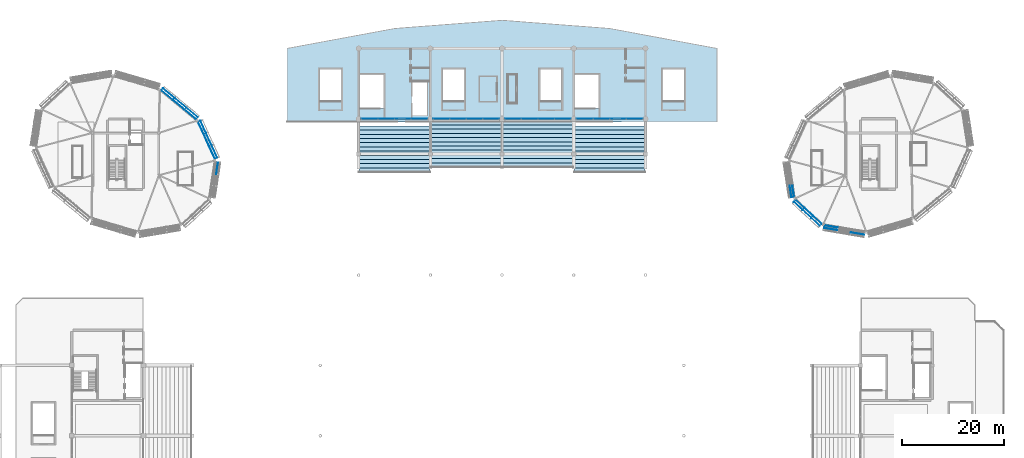
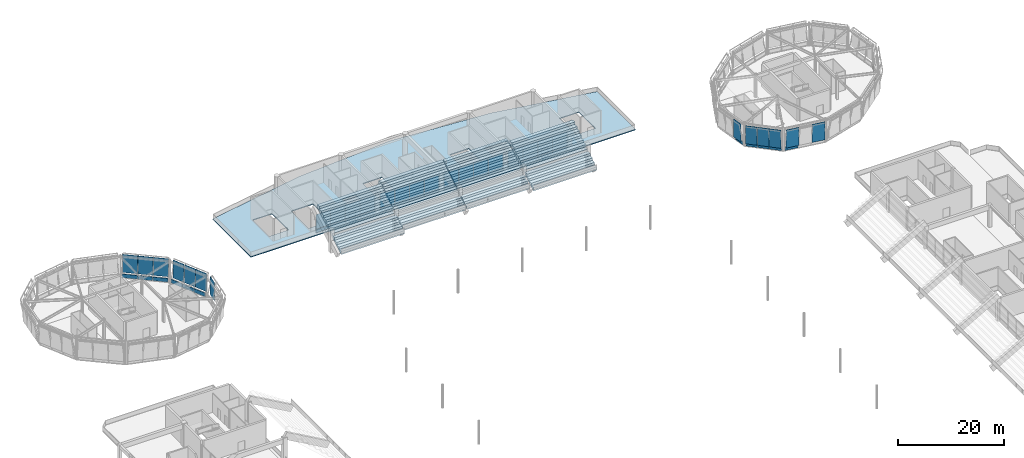
# One storey, part 64 of 90: 56 plates, 5 slabs, 10 elements without a shape of their own.
"""IFC4 building model written with IfcOpenShell, lengths in metres."""

from ifc_helpers import new_model, si_unit, direction, frame, origin, origin_2d, place, context, subcontext, project, spatial, polyline, rectangle, outline, extrude, material, layer, layer_set, type_object, element, aggregate, save


model = new_model("IFC4")

# Units and contexts
model_context = context("Model", 3, precision=1e-05, world=origin(), true_north=direction((0.0, 1.0)))
body_context = subcontext(model_context, "Body", "Model", "MODEL_VIEW")
ifc_project = project(units=[si_unit("LENGTHUNIT", "METRE"), si_unit("AREAUNIT", "SQUARE_METRE"), si_unit("VOLUMEUNIT", "CUBIC_METRE"), si_unit("PLANEANGLEUNIT", "RADIAN"), si_unit("MASSUNIT", "GRAM", prefix="KILO")], contexts=[model_context])

# Site, building, storey
site_placement = place(None, origin())
site = spatial("IfcSite", under=ifc_project, at=site_placement, CompositionType="ELEMENT")
building_placement = place(site_placement, origin())
building = spatial("IfcBuilding", under=site, at=building_placement, Name="Linyun Crest Stadium", CompositionType="ELEMENT")
storey_placement = place(building_placement, frame((0.0, 0.0, 21.0)))
storey = spatial("IfcBuildingStorey", under=building, at=storey_placement, Name="L05", CompositionType="ELEMENT", Elevation=21.0)

# Slab
ifc_material_1 = material(Name="Concrete C40", Category="concrete")
ifc_layer_1 = layer(ifc_material_1, 0.179931640625)
ifc_layer_set_1 = layer_set([ifc_layer_1], Name="Concrete C40")
slab_type_1 = type_object("IfcSlabType", Name="FS01", PredefinedType="FLOOR", material=ifc_layer_set_1)
slab_placement = place(storey_placement, frame((0.0, 0.0, -0.179931640625)))
element("IfcSlab", 1, at=slab_placement, inside=storey, type_object=slab_type_1, Name="Slab FS01 V3 L05 36", PredefinedType="FLOOR", context=body_context, shape_type="SweptSolid", body=[
    extrude(outline(polyline([(-42.0, 90.860107421875), (42.0, 90.860107421875), (42.0, 105.300048828125), (21.0, 109.199951171875), (0.0, 110.800048828125), (-21.0, 109.199951171875), (-42.0, 105.300048828125), (-42.0, 90.860107421875)]), holes=[polyline([(-27.824951171875, 93.52001953125), (-27.824951171875, 100.10009765625), (-23.10009765625, 100.10009765625), (-23.10009765625, 93.52001953125), (-27.824951171875, 93.52001953125)]), polyline([(-17.60009765625, 92.14990234375), (-17.60009765625, 98.75), (-14.60009765625, 98.75), (-14.60009765625, 92.14990234375), (-17.60009765625, 92.14990234375)]), polyline([(14.199951171875, 93.52001953125), (14.199951171875, 100.10009765625), (18.89990234375, 100.10009765625), (18.89990234375, 93.52001953125), (14.199951171875, 93.52001953125)]), polyline([(-35.60009765625, 94.949951171875), (-35.60009765625, 101.199951171875), (-31.39990234375, 101.199951171875), (-31.39990234375, 94.949951171875), (-35.60009765625, 94.949951171875)]), polyline([(-11.60009765625, 94.949951171875), (-11.60009765625, 101.199951171875), (-7.39990234375, 101.199951171875), (-7.39990234375, 94.949951171875), (-11.60009765625, 94.949951171875)]), polyline([(7.39990234375, 94.949951171875), (7.39990234375, 101.199951171875), (11.60009765625, 101.199951171875), (11.60009765625, 94.949951171875), (7.39990234375, 94.949951171875)]), polyline([(31.39990234375, 94.949951171875), (31.39990234375, 101.199951171875), (35.60009765625, 101.199951171875), (35.60009765625, 94.949951171875), (31.39990234375, 94.949951171875)])]), origin(), (0.0, 0.0, 1.0), 0.179931640625),
])

# Curtain wall, plates
ifc_material_2 = material(Name="Verdigris steel and low-E curtain wall assembly", Category="steel")
curtain_wall_type_1 = type_object("IfcCurtainWallType", Name="MCW03", PredefinedType="NOTDEFINED", material=ifc_material_2)
curtain_wall_1_placement = place(storey_placement, origin())
curtain_wall_1 = element("IfcCurtainWall", 2, at=curtain_wall_1_placement, inside=storey, type_object=curtain_wall_type_1, Name="CWR-130", PredefinedType="NOTDEFINED")
ifc_material_3 = material(Name="Double silver low-E insulated glass", Category="glass")
ifc_layer_2 = layer(ifc_material_3, 0.02587890625)
ifc_layer_set_2 = layer_set([ifc_layer_2], Name="Double silver low-E insulated glass")
plate_type_1 = type_object("IfcPlateType", Name="GP01", PredefinedType="CURTAIN_PANEL", material=ifc_layer_set_2)
plate_1_placement = place(storey_placement, frame((-25.837890625, 91.5, 0.875), z_axis=(0.0, 0.0, 1.0), x_axis=(1.0, 0.0, 0.0)))
plate_1 = element("IfcPlate", 3, at=plate_1_placement, type_object=plate_type_1, Name="CWR-130 panel 1.2", PredefinedType="CURTAIN_PANEL", context=body_context, shape_type="SweptSolid", body=[
    extrude(rectangle(XDim=3.175048828125, YDim=0.02587890625, at=origin_2d()), origin(), (0.0, 0.0, 1.0), 3.35009765625),
])
plate_2_placement = place(storey_placement, frame((-22.612060546875, 91.5, 0.875), z_axis=(0.0, 0.0, 1.0), x_axis=(1.0, 0.0, 0.0)))
plate_2 = element("IfcPlate", 4, at=plate_2_placement, type_object=plate_type_1, Name="CWR-130 panel 2.2", PredefinedType="CURTAIN_PANEL", context=body_context, shape_type="SweptSolid", body=[
    extrude(rectangle(XDim=3.175048828125, YDim=0.02587890625, at=origin_2d()), origin(), (0.0, 0.0, 1.0), 3.35009765625),
])
plate_3_placement = place(storey_placement, frame((-19.387939453125, 91.5, 0.875), z_axis=(0.0, 0.0, 1.0), x_axis=(1.0, 0.0, 0.0)))
plate_3 = element("IfcPlate", 5, at=plate_3_placement, type_object=plate_type_1, Name="CWR-130 panel 3.2", PredefinedType="CURTAIN_PANEL", context=body_context, shape_type="SweptSolid", body=[
    extrude(rectangle(XDim=3.175048828125, YDim=0.02587890625, at=origin_2d()), origin(), (0.0, 0.0, 1.0), 3.35009765625),
])
plate_4_placement = place(storey_placement, frame((-16.1630859375, 91.5, 0.875), z_axis=(0.0, 0.0, 1.0), x_axis=(1.0, 0.0, 0.0)))
plate_4 = element("IfcPlate", 6, at=plate_4_placement, type_object=plate_type_1, Name="CWR-130 panel 4.2", PredefinedType="CURTAIN_PANEL", context=body_context, shape_type="SweptSolid", body=[
    extrude(rectangle(XDim=3.175048828125, YDim=0.02587890625, at=origin_2d()), origin(), (0.0, 0.0, 1.0), 3.35009765625),
])

curtain_wall_2_placement = place(storey_placement, origin())
curtain_wall_2 = element("IfcCurtainWall", 7, at=curtain_wall_2_placement, inside=storey, type_object=curtain_wall_type_1, Name="CWR-137", PredefinedType="NOTDEFINED")
plate_5_placement = place(storey_placement, frame((-11.8369140625, 91.5, 0.875), z_axis=(0.0, 0.0, 1.0), x_axis=(1.0, 0.0, 0.0)))
plate_5 = element("IfcPlate", 8, at=plate_5_placement, type_object=plate_type_1, Name="CWR-137 panel 1.2", PredefinedType="CURTAIN_PANEL", context=body_context, shape_type="SweptSolid", body=[
    extrude(rectangle(XDim=3.175048828125, YDim=0.02587890625, at=origin_2d()), origin(), (0.0, 0.0, 1.0), 3.35009765625),
])
plate_6_placement = place(storey_placement, frame((-8.612060546875, 91.5, 0.875), z_axis=(0.0, 0.0, 1.0), x_axis=(1.0, 0.0, 0.0)))
plate_6 = element("IfcPlate", 9, at=plate_6_placement, type_object=plate_type_1, Name="CWR-137 panel 2.2", PredefinedType="CURTAIN_PANEL", context=body_context, shape_type="SweptSolid", body=[
    extrude(rectangle(XDim=3.175048828125, YDim=0.02587890625, at=origin_2d()), origin(), (0.0, 0.0, 1.0), 3.35009765625),
])
plate_7_placement = place(storey_placement, frame((-5.386962890625, 91.5, 0.875), z_axis=(0.0, 0.0, 1.0), x_axis=(1.0, 0.0, 0.0)))
plate_7 = element("IfcPlate", 10, at=plate_7_placement, type_object=plate_type_1, Name="CWR-137 panel 3.2", PredefinedType="CURTAIN_PANEL", context=body_context, shape_type="SweptSolid", body=[
    extrude(rectangle(XDim=3.175048828125, YDim=0.02587890625, at=origin_2d()), origin(), (0.0, 0.0, 1.0), 3.35009765625),
])
plate_8_placement = place(storey_placement, frame((-2.1630859375, 91.5, 0.875), z_axis=(0.0, 0.0, 1.0), x_axis=(1.0, 0.0, 0.0)))
plate_8 = element("IfcPlate", 11, at=plate_8_placement, type_object=plate_type_1, Name="CWR-137 panel 4.2", PredefinedType="CURTAIN_PANEL", context=body_context, shape_type="SweptSolid", body=[
    extrude(rectangle(XDim=3.175048828125, YDim=0.02587890625, at=origin_2d()), origin(), (0.0, 0.0, 1.0), 3.35009765625),
])

curtain_wall_3_placement = place(storey_placement, origin())
curtain_wall_3 = element("IfcCurtainWall", 12, at=curtain_wall_3_placement, inside=storey, type_object=curtain_wall_type_1, Name="CWR-144", PredefinedType="NOTDEFINED")
plate_9_placement = place(storey_placement, frame((2.162109375, 91.5, 0.875), z_axis=(0.0, 0.0, 1.0), x_axis=(1.0, 0.0, 0.0)))
plate_9 = element("IfcPlate", 13, at=plate_9_placement, type_object=plate_type_1, Name="CWR-144 panel 1.2", PredefinedType="CURTAIN_PANEL", context=body_context, shape_type="SweptSolid", body=[
    extrude(rectangle(XDim=3.175048828125, YDim=0.02587890625, at=origin_2d()), origin(), (0.0, 0.0, 1.0), 3.35009765625),
])
plate_10_placement = place(storey_placement, frame((5.386962890625, 91.5, 0.875), z_axis=(0.0, 0.0, 1.0), x_axis=(1.0, 0.0, 0.0)))
plate_10 = element("IfcPlate", 14, at=plate_10_placement, type_object=plate_type_1, Name="CWR-144 panel 2.2", PredefinedType="CURTAIN_PANEL", context=body_context, shape_type="SweptSolid", body=[
    extrude(rectangle(XDim=3.175048828125, YDim=0.02587890625, at=origin_2d()), origin(), (0.0, 0.0, 1.0), 3.35009765625),
])
plate_11_placement = place(storey_placement, frame((8.612060546875, 91.5, 0.875), z_axis=(0.0, 0.0, 1.0), x_axis=(1.0, 0.0, 0.0)))
plate_11 = element("IfcPlate", 15, at=plate_11_placement, type_object=plate_type_1, Name="CWR-144 panel 3.2", PredefinedType="CURTAIN_PANEL", context=body_context, shape_type="SweptSolid", body=[
    extrude(rectangle(XDim=3.175048828125, YDim=0.02587890625, at=origin_2d()), origin(), (0.0, 0.0, 1.0), 3.35009765625),
])
plate_12_placement = place(storey_placement, frame((11.8369140625, 91.5, 0.875), z_axis=(0.0, 0.0, 1.0), x_axis=(1.0, 0.0, 0.0)))
plate_12 = element("IfcPlate", 16, at=plate_12_placement, type_object=plate_type_1, Name="CWR-144 panel 4.2", PredefinedType="CURTAIN_PANEL", context=body_context, shape_type="SweptSolid", body=[
    extrude(rectangle(XDim=3.175048828125, YDim=0.02587890625, at=origin_2d()), origin(), (0.0, 0.0, 1.0), 3.35009765625),
])

curtain_wall_4_placement = place(storey_placement, origin())
curtain_wall_4 = element("IfcCurtainWall", 17, at=curtain_wall_4_placement, inside=storey, type_object=curtain_wall_type_1, Name="CWR-151", PredefinedType="NOTDEFINED")
plate_13_placement = place(storey_placement, frame((16.1630859375, 91.5, 0.875), z_axis=(0.0, 0.0, 1.0), x_axis=(1.0, 0.0, 0.0)))
plate_13 = element("IfcPlate", 18, at=plate_13_placement, type_object=plate_type_1, Name="CWR-151 panel 1.2", PredefinedType="CURTAIN_PANEL", context=body_context, shape_type="SweptSolid", body=[
    extrude(rectangle(XDim=3.175048828125, YDim=0.02587890625, at=origin_2d()), origin(), (0.0, 0.0, 1.0), 3.35009765625),
])
plate_14_placement = place(storey_placement, frame((19.387939453125, 91.5, 0.875), z_axis=(0.0, 0.0, 1.0), x_axis=(1.0, 0.0, 0.0)))
plate_14 = element("IfcPlate", 19, at=plate_14_placement, type_object=plate_type_1, Name="CWR-151 panel 2.2", PredefinedType="CURTAIN_PANEL", context=body_context, shape_type="SweptSolid", body=[
    extrude(rectangle(XDim=3.175048828125, YDim=0.02587890625, at=origin_2d()), origin(), (0.0, 0.0, 1.0), 3.35009765625),
])
plate_15_placement = place(storey_placement, frame((22.612060546875, 91.5, 0.875), z_axis=(0.0, 0.0, 1.0), x_axis=(1.0, 0.0, 0.0)))
plate_15 = element("IfcPlate", 20, at=plate_15_placement, type_object=plate_type_1, Name="CWR-151 panel 3.2", PredefinedType="CURTAIN_PANEL", context=body_context, shape_type="SweptSolid", body=[
    extrude(rectangle(XDim=3.175048828125, YDim=0.02587890625, at=origin_2d()), origin(), (0.0, 0.0, 1.0), 3.35009765625),
])
plate_16_placement = place(storey_placement, frame((25.837890625, 91.5, 0.875), z_axis=(0.0, 0.0, 1.0), x_axis=(1.0, 0.0, 0.0)))
plate_16 = element("IfcPlate", 21, at=plate_16_placement, type_object=plate_type_1, Name="CWR-151 panel 4.2", PredefinedType="CURTAIN_PANEL", context=body_context, shape_type="SweptSolid", body=[
    extrude(rectangle(XDim=3.175048828125, YDim=0.02587890625, at=origin_2d()), origin(), (0.0, 0.0, 1.0), 3.35009765625),
])

# Curtain wall, plate
ifc_material_4 = material(Name="Verdigris steel and low-E curtain wall assembly", Category="steel")
curtain_wall_type_2 = type_object("IfcCurtainWallType", Name="MCW04", PredefinedType="NOTDEFINED", material=ifc_material_4)
curtain_wall_5_placement = place(storey_placement, origin())
curtain_wall_5 = element("IfcCurtainWall", 22, at=curtain_wall_5_placement, inside=storey, type_object=curtain_wall_type_2, Name="CWR-013", PredefinedType="NOTDEFINED")
ifc_material_5 = material(Name="Acoustic laminated low-E broadcast glass", Category="glass")
ifc_layer_3 = layer(ifc_material_5, 0.030029296875)
ifc_layer_set_3 = layer_set([ifc_layer_3], Name="Acoustic laminated low-E broadcast glass")
plate_type_2 = type_object("IfcPlateType", Name="GP02", PredefinedType="CURTAIN_PANEL", material=ifc_layer_set_3)
plate_17_placement = place(storey_placement, frame((-55.64306640625, 81.843017578125, 0.88232421875), z_axis=(0.0, 0.0, 1.0), x_axis=(0.152054385169, 0.988372128275, 0.0)))
plate_17 = element("IfcPlate", 23, at=plate_17_placement, type_object=plate_type_2, Name="CWR-013 panel 3.2", PredefinedType="CURTAIN_PANEL", context=body_context, shape_type="SweptSolid", body=[
    extrude(rectangle(XDim=2.256103515625, YDim=0.030029296875, at=origin_2d()), origin(), (0.0, 0.0, 1.0), 4.1953125),
])
aggregate(curtain_wall_5, [plate_17])

# Curtain wall, plates
curtain_wall_6_placement = place(storey_placement, origin())
curtain_wall_6 = element("IfcCurtainWall", 24, at=curtain_wall_6_placement, inside=storey, type_object=curtain_wall_type_2, Name="CWR-014", PredefinedType="NOTDEFINED")
plate_18_placement = place(storey_placement, frame((-56.14208984375, 85.10009765625, 0.88232421875), z_axis=(0.0, 0.0, 1.0), x_axis=(-0.414566184052, 0.910019164106, 0.0)))
plate_18 = element("IfcPlate", 25, at=plate_18_placement, type_object=plate_type_2, Name="CWR-014 panel 1.2", PredefinedType="CURTAIN_PANEL", context=body_context, shape_type="SweptSolid", body=[
    extrude(rectangle(XDim=2.595458984375, YDim=0.030029296875, at=origin_2d()), origin(), (0.0, 0.0, 1.0), 4.1953125),
])
plate_19_placement = place(storey_placement, frame((-57.238037109375, 87.507080078125, 0.88232421875), z_axis=(0.0, 0.0, 1.0), x_axis=(-0.414566184052, 0.910019164106, 0.0)))
plate_19 = element("IfcPlate", 26, at=plate_19_placement, type_object=plate_type_2, Name="CWR-014 panel 2.2", PredefinedType="CURTAIN_PANEL", context=body_context, shape_type="SweptSolid", body=[
    extrude(rectangle(XDim=2.595458984375, YDim=0.030029296875, at=origin_2d()), origin(), (0.0, 0.0, 1.0), 4.1953125),
])
plate_20_placement = place(storey_placement, frame((-58.3349609375, 89.9150390625, 0.88232421875), z_axis=(0.0, 0.0, 1.0), x_axis=(-0.414566184052, 0.910019164106, 0.0)))
plate_20 = element("IfcPlate", 27, at=plate_20_placement, type_object=plate_type_2, Name="CWR-014 panel 3.2", PredefinedType="CURTAIN_PANEL", context=body_context, shape_type="SweptSolid", body=[
    extrude(rectangle(XDim=2.595458984375, YDim=0.030029296875, at=origin_2d()), origin(), (0.0, 0.0, 1.0), 4.1953125),
])

curtain_wall_7_placement = place(storey_placement, origin())
curtain_wall_7 = element("IfcCurtainWall", 28, at=curtain_wall_7_placement, inside=storey, type_object=curtain_wall_type_2, Name="CWR-015", PredefinedType="NOTDEFINED")
plate_21_placement = place(storey_placement, frame((-60.5390625, 92.738037109375, 0.88232421875), z_axis=(0.0, 0.0, 1.0), x_axis=(-0.77024617165, 0.637746685651, 0.0)))
plate_21 = element("IfcPlate", 29, at=plate_21_placement, type_object=plate_type_2, Name="CWR-015 panel 1.2", PredefinedType="CURTAIN_PANEL", context=body_context, shape_type="SweptSolid", body=[
    extrude(rectangle(XDim=2.8984375, YDim=0.030029296875, at=origin_2d()), origin(), (0.0, 0.0, 1.0), 4.1953125),
])
plate_22_placement = place(storey_placement, frame((-62.81005859375, 94.617919921875, 0.88232421875), z_axis=(0.0, 0.0, 1.0), x_axis=(-0.77024617165, 0.637746685651, 0.0)))
plate_22 = element("IfcPlate", 30, at=plate_22_placement, type_object=plate_type_2, Name="CWR-015 panel 2.2", PredefinedType="CURTAIN_PANEL", context=body_context, shape_type="SweptSolid", body=[
    extrude(rectangle(XDim=2.8984375, YDim=0.030029296875, at=origin_2d()), origin(), (0.0, 0.0, 1.0), 4.1953125),
])
plate_23_placement = place(storey_placement, frame((-65.0810546875, 96.4990234375, 0.88232421875), z_axis=(0.0, 0.0, 1.0), x_axis=(-0.77024617165, 0.637746685651, 0.0)))
plate_23 = element("IfcPlate", 31, at=plate_23_placement, type_object=plate_type_2, Name="CWR-015 panel 3.2", PredefinedType="CURTAIN_PANEL", context=body_context, shape_type="SweptSolid", body=[
    extrude(rectangle(XDim=2.8984375, YDim=0.030029296875, at=origin_2d()), origin(), (0.0, 0.0, 1.0), 4.1953125),
])

# Curtain wall, plate
curtain_wall_8_placement = place(storey_placement, origin())
curtain_wall_8 = element("IfcCurtainWall", 32, at=curtain_wall_8_placement, inside=storey, type_object=curtain_wall_type_2, Name="CWR-054", PredefinedType="NOTDEFINED")
plate_24_placement = place(storey_placement, frame((56.343994140625, 77.283935546875, 0.88232421875), z_axis=(0.0, 0.0, 1.0), x_axis=(0.152054385169, -0.988372128275, 0.0)))
plate_24 = element("IfcPlate", 33, at=plate_24_placement, type_object=plate_type_2, Name="CWR-054 panel 3.2", PredefinedType="CURTAIN_PANEL", context=body_context, shape_type="SweptSolid", body=[
    extrude(rectangle(XDim=2.256103515625, YDim=0.030029296875, at=origin_2d()), origin(), (0.0, 0.0, 1.0), 4.1953125),
])

# Curtain wall, plates
curtain_wall_9_placement = place(storey_placement, origin())
curtain_wall_9 = element("IfcCurtainWall", 34, at=curtain_wall_9_placement, inside=storey, type_object=curtain_wall_type_2, Name="CWR-055", PredefinedType="NOTDEFINED")
plate_25_placement = place(storey_placement, frame((57.820068359375, 74.508056640625, 0.88232421875), z_axis=(0.0, 0.0, 1.0), x_axis=(0.734298814372, -0.678826377811, 0.0)))
plate_25 = element("IfcPlate", 35, at=plate_25_placement, type_object=plate_type_2, Name="CWR-055 panel 1.2", PredefinedType="CURTAIN_PANEL", context=body_context, shape_type="SweptSolid", body=[
    extrude(rectangle(XDim=2.2568359375, YDim=0.030029296875, at=origin_2d()), origin(), (0.0, 0.0, 1.0), 4.1953125),
])
plate_26_placement = place(storey_placement, frame((59.513916015625, 72.94189453125, 0.88232421875), z_axis=(0.0, 0.0, 1.0), x_axis=(0.734298814372, -0.678826377811, 0.0)))
plate_26 = element("IfcPlate", 36, at=plate_26_placement, type_object=plate_type_2, Name="CWR-055 panel 2.2", PredefinedType="CURTAIN_PANEL", context=body_context, shape_type="SweptSolid", body=[
    extrude(rectangle(XDim=2.2568359375, YDim=0.030029296875, at=origin_2d()), origin(), (0.0, 0.0, 1.0), 4.1953125),
])
plate_27_placement = place(storey_placement, frame((61.2080078125, 71.3759765625, 0.88232421875), z_axis=(0.0, 0.0, 1.0), x_axis=(0.734298814372, -0.678826377811, 0.0)))
plate_27 = element("IfcPlate", 37, at=plate_27_placement, type_object=plate_type_2, Name="CWR-055 panel 3.2", PredefinedType="CURTAIN_PANEL", context=body_context, shape_type="SweptSolid", body=[
    extrude(rectangle(XDim=2.2568359375, YDim=0.030029296875, at=origin_2d()), origin(), (0.0, 0.0, 1.0), 4.1953125),
])

curtain_wall_10_placement = place(storey_placement, origin())
curtain_wall_10 = element("IfcCurtainWall", 38, at=curtain_wall_10_placement, inside=storey, type_object=curtain_wall_type_2, Name="CWR-056", PredefinedType="NOTDEFINED")
plate_28_placement = place(storey_placement, frame((64.18701171875, 69.968017578125, 0.88232421875), z_axis=(0.0, 0.0, 1.0), x_axis=(0.986282720763, -0.165064819767, 0.0)))
plate_28 = element("IfcPlate", 39, at=plate_28_placement, type_object=plate_type_2, Name="CWR-056 panel 1.2", PredefinedType="CURTAIN_PANEL", context=body_context, shape_type="SweptSolid", body=[
    extrude(rectangle(XDim=2.59521484375, YDim=0.030029296875, at=origin_2d()), origin(), (0.0, 0.0, 1.0), 4.1953125),
])
plate_29_placement = place(storey_placement, frame((69.405029296875, 69.093994140625, 0.88232421875), z_axis=(0.0, 0.0, 1.0), x_axis=(0.986282720763, -0.165064819767, 0.0)))
plate_29 = element("IfcPlate", 40, at=plate_29_placement, type_object=plate_type_2, Name="CWR-056 panel 3.2", PredefinedType="CURTAIN_PANEL", context=body_context, shape_type="SweptSolid", body=[
    extrude(rectangle(XDim=2.59521484375, YDim=0.030029296875, at=origin_2d()), origin(), (0.0, 0.0, 1.0), 4.1953125),
])

# Plate
ifc_material_6 = material(Name="Celadon glazed ceramic faience insulated spandrel")
ifc_layer_4 = layer(ifc_material_6, 0.0419921875)
ifc_layer_set_4 = layer_set([ifc_layer_4], Name="Celadon glazed ceramic faience insulated spandrel")
plate_type_3 = type_object("IfcPlateType", Name="SP01", PredefinedType="SHEET", material=ifc_layer_set_4)
plate_30_placement = place(storey_placement, frame((-25.837890625, 91.5, 0.02490234375), z_axis=(0.0, 0.0, 1.0), x_axis=(1.0, 0.0, 0.0)))
plate_30 = element("IfcPlate", 41, at=plate_30_placement, type_object=plate_type_3, Name="CWR-130 panel 1.1", PredefinedType="SHEET", context=body_context, shape_type="SweptSolid", body=[
    extrude(rectangle(XDim=3.175048828125, YDim=0.0419921875, at=origin_2d()), origin(), (0.0, 0.0, 1.0), 0.800048828125),
])

plate_31_placement = place(storey_placement, frame((-22.612060546875, 91.5, 0.02490234375), z_axis=(0.0, 0.0, 1.0), x_axis=(1.0, 0.0, 0.0)))
plate_31 = element("IfcPlate", 42, at=plate_31_placement, type_object=plate_type_3, Name="CWR-130 panel 2.1", PredefinedType="SHEET", context=body_context, shape_type="SweptSolid", body=[
    extrude(rectangle(XDim=3.175048828125, YDim=0.0419921875, at=origin_2d()), origin(), (0.0, 0.0, 1.0), 0.800048828125),
])

plate_32_placement = place(storey_placement, frame((-19.387939453125, 91.5, 0.02490234375), z_axis=(0.0, 0.0, 1.0), x_axis=(1.0, 0.0, 0.0)))
plate_32 = element("IfcPlate", 43, at=plate_32_placement, type_object=plate_type_3, Name="CWR-130 panel 3.1", PredefinedType="SHEET", context=body_context, shape_type="SweptSolid", body=[
    extrude(rectangle(XDim=3.175048828125, YDim=0.0419921875, at=origin_2d()), origin(), (0.0, 0.0, 1.0), 0.800048828125),
])

plate_33_placement = place(storey_placement, frame((-16.1630859375, 91.5, 0.02490234375), z_axis=(0.0, 0.0, 1.0), x_axis=(1.0, 0.0, 0.0)))
plate_33 = element("IfcPlate", 44, at=plate_33_placement, type_object=plate_type_3, Name="CWR-130 panel 4.1", PredefinedType="SHEET", context=body_context, shape_type="SweptSolid", body=[
    extrude(rectangle(XDim=3.175048828125, YDim=0.0419921875, at=origin_2d()), origin(), (0.0, 0.0, 1.0), 0.800048828125),
])

aggregate(curtain_wall_1, [plate_30, plate_1, plate_31, plate_2, plate_32, plate_3, plate_33, plate_4])

plate_34_placement = place(storey_placement, frame((-11.8369140625, 91.5, 0.02490234375), z_axis=(0.0, 0.0, 1.0), x_axis=(1.0, 0.0, 0.0)))
plate_34 = element("IfcPlate", 45, at=plate_34_placement, type_object=plate_type_3, Name="CWR-137 panel 1.1", PredefinedType="SHEET", context=body_context, shape_type="SweptSolid", body=[
    extrude(rectangle(XDim=3.175048828125, YDim=0.0419921875, at=origin_2d()), origin(), (0.0, 0.0, 1.0), 0.800048828125),
])

plate_35_placement = place(storey_placement, frame((-8.612060546875, 91.5, 0.02490234375), z_axis=(0.0, 0.0, 1.0), x_axis=(1.0, 0.0, 0.0)))
plate_35 = element("IfcPlate", 46, at=plate_35_placement, type_object=plate_type_3, Name="CWR-137 panel 2.1", PredefinedType="SHEET", context=body_context, shape_type="SweptSolid", body=[
    extrude(rectangle(XDim=3.175048828125, YDim=0.0419921875, at=origin_2d()), origin(), (0.0, 0.0, 1.0), 0.800048828125),
])

plate_36_placement = place(storey_placement, frame((-5.386962890625, 91.5, 0.02490234375), z_axis=(0.0, 0.0, 1.0), x_axis=(1.0, 0.0, 0.0)))
plate_36 = element("IfcPlate", 47, at=plate_36_placement, type_object=plate_type_3, Name="CWR-137 panel 3.1", PredefinedType="SHEET", context=body_context, shape_type="SweptSolid", body=[
    extrude(rectangle(XDim=3.175048828125, YDim=0.0419921875, at=origin_2d()), origin(), (0.0, 0.0, 1.0), 0.800048828125),
])

plate_37_placement = place(storey_placement, frame((-2.1630859375, 91.5, 0.02490234375), z_axis=(0.0, 0.0, 1.0), x_axis=(1.0, 0.0, 0.0)))
plate_37 = element("IfcPlate", 48, at=plate_37_placement, type_object=plate_type_3, Name="CWR-137 panel 4.1", PredefinedType="SHEET", context=body_context, shape_type="SweptSolid", body=[
    extrude(rectangle(XDim=3.175048828125, YDim=0.0419921875, at=origin_2d()), origin(), (0.0, 0.0, 1.0), 0.800048828125),
])

aggregate(curtain_wall_2, [plate_34, plate_5, plate_35, plate_6, plate_36, plate_7, plate_37, plate_8])

plate_38_placement = place(storey_placement, frame((2.162109375, 91.5, 0.02490234375), z_axis=(0.0, 0.0, 1.0), x_axis=(1.0, 0.0, 0.0)))
plate_38 = element("IfcPlate", 49, at=plate_38_placement, type_object=plate_type_3, Name="CWR-144 panel 1.1", PredefinedType="SHEET", context=body_context, shape_type="SweptSolid", body=[
    extrude(rectangle(XDim=3.175048828125, YDim=0.0419921875, at=origin_2d()), origin(), (0.0, 0.0, 1.0), 0.800048828125),
])

plate_39_placement = place(storey_placement, frame((5.386962890625, 91.5, 0.02490234375), z_axis=(0.0, 0.0, 1.0), x_axis=(1.0, 0.0, 0.0)))
plate_39 = element("IfcPlate", 50, at=plate_39_placement, type_object=plate_type_3, Name="CWR-144 panel 2.1", PredefinedType="SHEET", context=body_context, shape_type="SweptSolid", body=[
    extrude(rectangle(XDim=3.175048828125, YDim=0.0419921875, at=origin_2d()), origin(), (0.0, 0.0, 1.0), 0.800048828125),
])

plate_40_placement = place(storey_placement, frame((8.612060546875, 91.5, 0.02490234375), z_axis=(0.0, 0.0, 1.0), x_axis=(1.0, 0.0, 0.0)))
plate_40 = element("IfcPlate", 51, at=plate_40_placement, type_object=plate_type_3, Name="CWR-144 panel 3.1", PredefinedType="SHEET", context=body_context, shape_type="SweptSolid", body=[
    extrude(rectangle(XDim=3.175048828125, YDim=0.0419921875, at=origin_2d()), origin(), (0.0, 0.0, 1.0), 0.800048828125),
])

plate_41_placement = place(storey_placement, frame((11.8369140625, 91.5, 0.02490234375), z_axis=(0.0, 0.0, 1.0), x_axis=(1.0, 0.0, 0.0)))
plate_41 = element("IfcPlate", 52, at=plate_41_placement, type_object=plate_type_3, Name="CWR-144 panel 4.1", PredefinedType="SHEET", context=body_context, shape_type="SweptSolid", body=[
    extrude(rectangle(XDim=3.175048828125, YDim=0.0419921875, at=origin_2d()), origin(), (0.0, 0.0, 1.0), 0.800048828125),
])

aggregate(curtain_wall_3, [plate_38, plate_9, plate_39, plate_10, plate_40, plate_11, plate_41, plate_12])

plate_42_placement = place(storey_placement, frame((16.1630859375, 91.5, 0.02490234375), z_axis=(0.0, 0.0, 1.0), x_axis=(1.0, 0.0, 0.0)))
plate_42 = element("IfcPlate", 53, at=plate_42_placement, type_object=plate_type_3, Name="CWR-151 panel 1.1", PredefinedType="SHEET", context=body_context, shape_type="SweptSolid", body=[
    extrude(rectangle(XDim=3.175048828125, YDim=0.0419921875, at=origin_2d()), origin(), (0.0, 0.0, 1.0), 0.800048828125),
])

plate_43_placement = place(storey_placement, frame((19.387939453125, 91.5, 0.02490234375), z_axis=(0.0, 0.0, 1.0), x_axis=(1.0, 0.0, 0.0)))
plate_43 = element("IfcPlate", 54, at=plate_43_placement, type_object=plate_type_3, Name="CWR-151 panel 2.1", PredefinedType="SHEET", context=body_context, shape_type="SweptSolid", body=[
    extrude(rectangle(XDim=3.175048828125, YDim=0.0419921875, at=origin_2d()), origin(), (0.0, 0.0, 1.0), 0.800048828125),
])

plate_44_placement = place(storey_placement, frame((22.612060546875, 91.5, 0.02490234375), z_axis=(0.0, 0.0, 1.0), x_axis=(1.0, 0.0, 0.0)))
plate_44 = element("IfcPlate", 55, at=plate_44_placement, type_object=plate_type_3, Name="CWR-151 panel 3.1", PredefinedType="SHEET", context=body_context, shape_type="SweptSolid", body=[
    extrude(rectangle(XDim=3.175048828125, YDim=0.0419921875, at=origin_2d()), origin(), (0.0, 0.0, 1.0), 0.800048828125),
])

plate_45_placement = place(storey_placement, frame((25.837890625, 91.5, 0.02490234375), z_axis=(0.0, 0.0, 1.0), x_axis=(1.0, 0.0, 0.0)))
plate_45 = element("IfcPlate", 56, at=plate_45_placement, type_object=plate_type_3, Name="CWR-151 panel 4.1", PredefinedType="SHEET", context=body_context, shape_type="SweptSolid", body=[
    extrude(rectangle(XDim=3.175048828125, YDim=0.0419921875, at=origin_2d()), origin(), (0.0, 0.0, 1.0), 0.800048828125),
])

aggregate(curtain_wall_4, [plate_42, plate_13, plate_43, plate_14, plate_44, plate_15, plate_45, plate_16])

ifc_material_7 = material(Name="Verdigris enamelled metal insulated spandrel")
ifc_layer_5 = layer(ifc_material_7, 0.053955078125)
ifc_layer_set_5 = layer_set([ifc_layer_5], Name="Verdigris enamelled metal insulated spandrel")
plate_type_4 = type_object("IfcPlateType", Name="SP03", PredefinedType="SHEET", material=ifc_layer_set_5)
plate_46_placement = place(storey_placement, frame((-56.610107421875, 84.886962890625, 0.015625), z_axis=(0.0, 0.0, 1.0), x_axis=(-0.414566184052, 0.910019164106, 0.0)))
plate_46 = element("IfcPlate", 57, at=plate_46_placement, type_object=plate_type_4, Name="CWR-014 panel 1.1", PredefinedType="SHEET", context=body_context, shape_type="SweptSolid", body=[
    extrude(rectangle(XDim=2.595458984375, YDim=0.053955078125, at=origin_2d()), origin(), (0.0, 0.0, 1.0), 0.868408203125),
])

plate_47_placement = place(storey_placement, frame((-57.70703125, 87.2939453125, 0.015625), z_axis=(0.0, 0.0, 1.0), x_axis=(-0.414566184052, 0.910019164106, 0.0)))
plate_47 = element("IfcPlate", 58, at=plate_47_placement, type_object=plate_type_4, Name="CWR-014 panel 2.1", PredefinedType="SHEET", context=body_context, shape_type="SweptSolid", body=[
    extrude(rectangle(XDim=2.595458984375, YDim=0.053955078125, at=origin_2d()), origin(), (0.0, 0.0, 1.0), 0.868408203125),
])

plate_48_placement = place(storey_placement, frame((-58.802978515625, 89.700927734375, 0.015625), z_axis=(0.0, 0.0, 1.0), x_axis=(-0.414566184052, 0.910019164106, 0.0)))
plate_48 = element("IfcPlate", 59, at=plate_48_placement, type_object=plate_type_4, Name="CWR-014 panel 3.1", PredefinedType="SHEET", context=body_context, shape_type="SweptSolid", body=[
    extrude(rectangle(XDim=2.595458984375, YDim=0.053955078125, at=origin_2d()), origin(), (0.0, 0.0, 1.0), 0.868408203125),
])

aggregate(curtain_wall_6, [plate_46, plate_18, plate_47, plate_19, plate_48, plate_20])

plate_49_placement = place(storey_placement, frame((-60.866943359375, 92.342041015625, 0.015625), z_axis=(0.0, 0.0, 1.0), x_axis=(-0.77024617165, 0.637746685651, 0.0)))
plate_49 = element("IfcPlate", 60, at=plate_49_placement, type_object=plate_type_4, Name="CWR-015 panel 1.1", PredefinedType="SHEET", context=body_context, shape_type="SweptSolid", body=[
    extrude(rectangle(XDim=2.8984375, YDim=0.053955078125, at=origin_2d()), origin(), (0.0, 0.0, 1.0), 0.868408203125),
])

plate_50_placement = place(storey_placement, frame((-63.137939453125, 94.221923828125, 0.015625), z_axis=(0.0, 0.0, 1.0), x_axis=(-0.77024617165, 0.637746685651, 0.0)))
plate_50 = element("IfcPlate", 61, at=plate_50_placement, type_object=plate_type_4, Name="CWR-015 panel 2.1", PredefinedType="SHEET", context=body_context, shape_type="SweptSolid", body=[
    extrude(rectangle(XDim=2.8984375, YDim=0.053955078125, at=origin_2d()), origin(), (0.0, 0.0, 1.0), 0.868408203125),
])

plate_51_placement = place(storey_placement, frame((-65.408935546875, 96.10205078125, 0.015625), z_axis=(0.0, 0.0, 1.0), x_axis=(-0.77024617165, 0.637746685651, 0.0)))
plate_51 = element("IfcPlate", 62, at=plate_51_placement, type_object=plate_type_4, Name="CWR-015 panel 3.1", PredefinedType="SHEET", context=body_context, shape_type="SweptSolid", body=[
    extrude(rectangle(XDim=2.8984375, YDim=0.053955078125, at=origin_2d()), origin(), (0.0, 0.0, 1.0), 0.868408203125),
])

aggregate(curtain_wall_7, [plate_49, plate_21, plate_50, plate_22, plate_51, plate_23])

plate_52_placement = place(storey_placement, frame((56.85302734375, 77.363037109375, 0.015625), z_axis=(0.0, 0.0, 1.0), x_axis=(0.152054385169, -0.988372128275, 0.0)))
plate_52 = element("IfcPlate", 63, at=plate_52_placement, type_object=plate_type_4, Name="CWR-054 panel 3.1", PredefinedType="SHEET", context=body_context, shape_type="SweptSolid", body=[
    extrude(rectangle(XDim=2.256103515625, YDim=0.053955078125, at=origin_2d()), origin(), (0.0, 0.0, 1.0), 0.868408203125),
])

aggregate(curtain_wall_8, [plate_52, plate_24])

plate_53_placement = place(storey_placement, frame((58.169921875, 74.885986328125, 0.015625), z_axis=(0.0, 0.0, 1.0), x_axis=(0.734298814372, -0.678826377811, 0.0)))
plate_53 = element("IfcPlate", 64, at=plate_53_placement, type_object=plate_type_4, Name="CWR-055 panel 1.1", PredefinedType="SHEET", context=body_context, shape_type="SweptSolid", body=[
    extrude(rectangle(XDim=2.2568359375, YDim=0.053955078125, at=origin_2d()), origin(), (0.0, 0.0, 1.0), 0.868408203125),
])

plate_54_placement = place(storey_placement, frame((59.864013671875, 73.320068359375, 0.015625), z_axis=(0.0, 0.0, 1.0), x_axis=(0.734298814372, -0.678826377811, 0.0)))
plate_54 = element("IfcPlate", 65, at=plate_54_placement, type_object=plate_type_4, Name="CWR-055 panel 2.1", PredefinedType="SHEET", context=body_context, shape_type="SweptSolid", body=[
    extrude(rectangle(XDim=2.2568359375, YDim=0.053955078125, at=origin_2d()), origin(), (0.0, 0.0, 1.0), 0.868408203125),
])

plate_55_placement = place(storey_placement, frame((61.55810546875, 71.75390625, 0.015625), z_axis=(0.0, 0.0, 1.0), x_axis=(0.734298814372, -0.678826377811, 0.0)))
plate_55 = element("IfcPlate", 66, at=plate_55_placement, type_object=plate_type_4, Name="CWR-055 panel 3.1", PredefinedType="SHEET", context=body_context, shape_type="SweptSolid", body=[
    extrude(rectangle(XDim=2.2568359375, YDim=0.053955078125, at=origin_2d()), origin(), (0.0, 0.0, 1.0), 0.868408203125),
])

aggregate(curtain_wall_9, [plate_53, plate_25, plate_54, plate_26, plate_55, plate_27])

plate_56_placement = place(storey_placement, frame((64.27197265625, 70.47509765625, 0.015625), z_axis=(0.0, 0.0, 1.0), x_axis=(0.986282720763, -0.165064819767, 0.0)))
plate_56 = element("IfcPlate", 67, at=plate_56_placement, type_object=plate_type_4, Name="CWR-056 panel 1.1", PredefinedType="SHEET", context=body_context, shape_type="SweptSolid", body=[
    extrude(rectangle(XDim=2.59521484375, YDim=0.053955078125, at=origin_2d()), origin(), (0.0, 0.0, 1.0), 0.868408203125),
])

aggregate(curtain_wall_10, [plate_56, plate_28, plate_29])

# Slabs
ifc_material_8 = material(Name="Precast concrete C50", Category="concrete")
ifc_layer_6 = layer(ifc_material_8, 0.199951171875)
ifc_layer_set_6 = layer_set([ifc_layer_6], Name="Precast concrete C50")
slab_type_2 = type_object("IfcSlabType", Name="ST05", PredefinedType="USERDEFINED", material=ifc_layer_set_6)
for number, where, z_axis, x_axis, name in (
    (68, (-27.919921875, 81.10009765625, 1.64990234375), (0.0, 0.0, 1.0), (0.0, 1.0, 0.0), "Precast seating tier ST05 V3 60"),
    (69, (-13.919921875, 82.10009765625, 1.64990234375), (0.0, 0.0, 1.0), (0.0, 1.0, 0.0), "Precast seating tier ST05 V3 67"),
    (70, (0.080078125, 82.10009765625, 1.64990234375), (0.0, 0.0, 1.0), (0.0, 1.0, 0.0), "Precast seating tier ST05 V3 74"),
    (71, (14.080078125, 81.10009765625, 1.64990234375), (0.0, 0.0, 1.0), (0.0, 1.0, 0.0), "Precast seating tier ST05 V3 81"),
):
    element("IfcSlab", number, at=place(storey_placement, frame(where, z_axis=z_axis, x_axis=x_axis)), inside=storey, type_object=slab_type_2, Name=name, ObjectType="SEATING TIER", PredefinedType="USERDEFINED", context=body_context, shape_type="SweptSolid", body=[
        extrude(outline(polyline([(0.0, 0.0), (0.0, 0.5400390625), (0.820068359375, 0.5400390625), (0.820068359375, 1.080078125), (1.639892578125, 1.080078125), (1.639892578125, 1.6201171875), (2.4599609375, 1.6201171875), (2.4599609375, 2.159912109375), (3.280029296875, 2.159912109375), (3.280029296875, 2.699951171875), (4.10009765625, 2.699951171875), (4.10009765625, 3.239990234375), (4.919921875, 3.239990234375), (4.919921875, 3.780029296875), (5.739990234375, 3.780029296875), (5.739990234375, 4.320068359375), (6.56005859375, 4.320068359375), (6.56005859375, 4.860107421875), (7.3798828125, 4.860107421875), (7.3798828125, 5.39990234375), (8.199951171875, 5.39990234375), (8.199951171875, 5.93994140625), (9.02001953125, 5.93994140625), (9.02001953125, 5.199951171875), (0.0, -0.199951171875), (0.0, 0.0)])), frame((0.0, 0.0, 0.0), z_axis=(0.0, -1.0, 0.0), x_axis=(1.0, 0.0, 0.0)), (0.0, 0.0, 1.0), 13.83984375),
    ])

save(model, "model.ifc")
